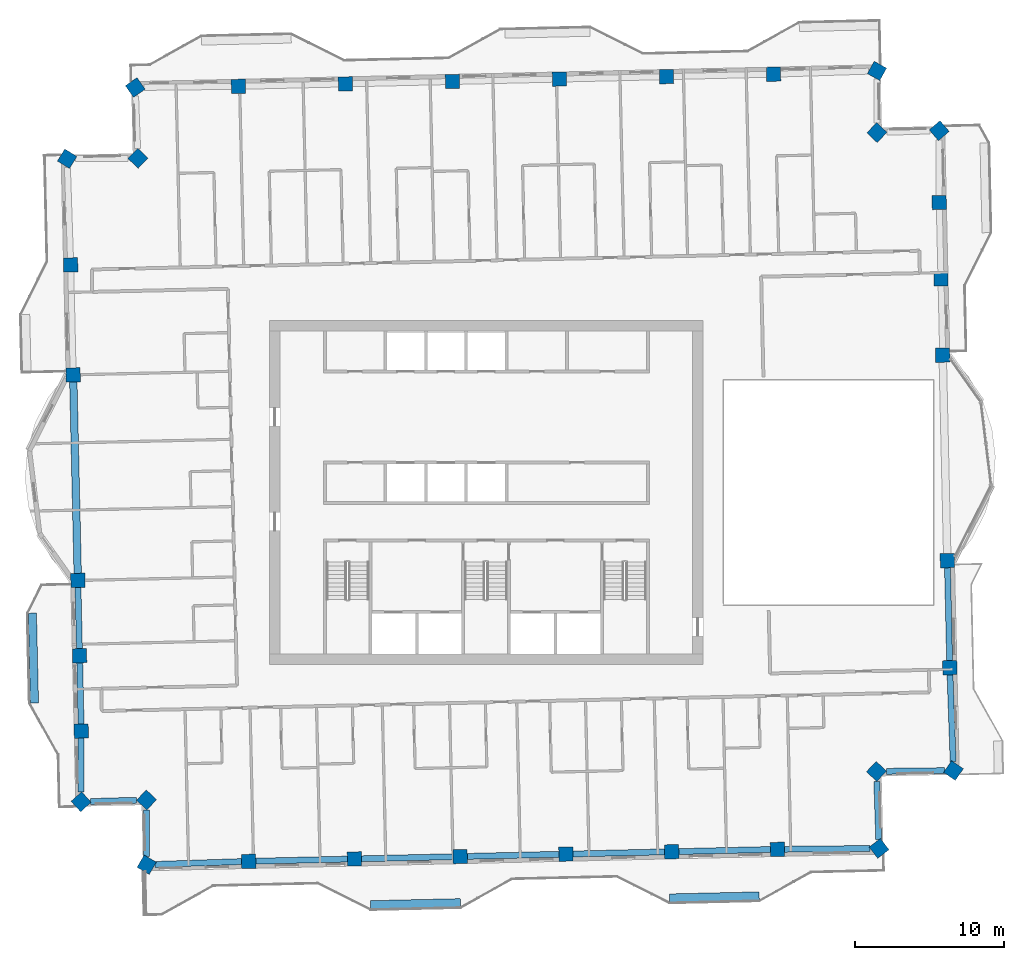
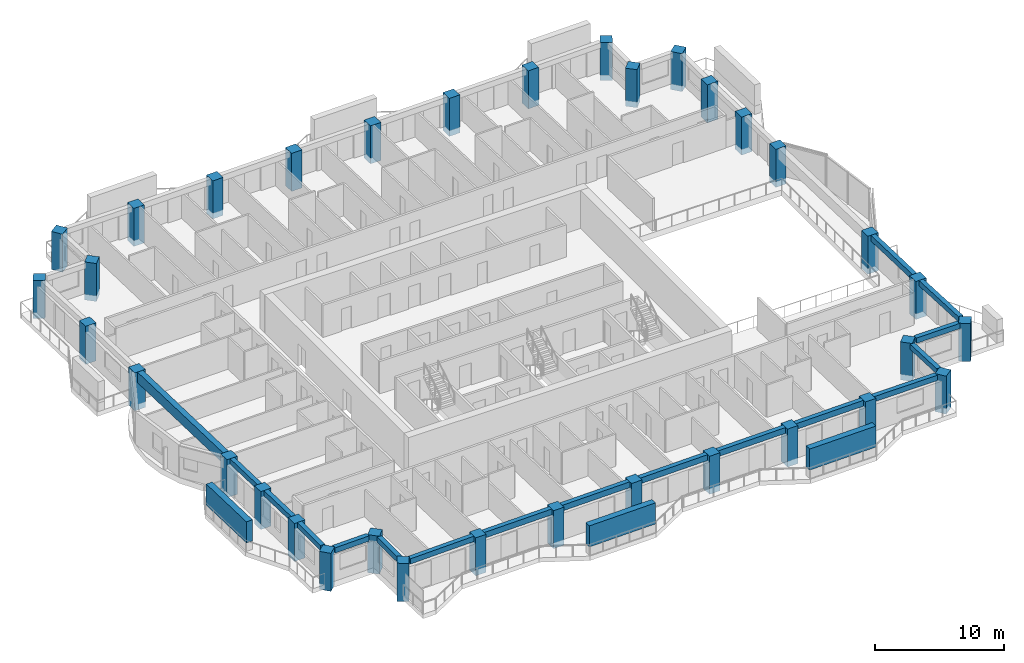
# One storey, part 1 of 20: 34 columns, 17 beams, 3 members.
"""IFC4 building model written with IfcOpenShell, lengths in metres."""

from ifc_helpers import new_model, si_unit, direction, frame, origin, origin_2d, place, context, subcontext, project, spatial, rectangle, extrude, material, material_profile, profile_set, type_object, element, save


model = new_model("IFC4")

# Units and contexts
model_context = context("Model", 3, precision=1e-05, world=origin(), true_north=direction((0.0, 1.0)))
body_context = subcontext(model_context, "Body", "Model", "MODEL_VIEW")
ifc_project = project(units=[si_unit("LENGTHUNIT", "METRE"), si_unit("AREAUNIT", "SQUARE_METRE"), si_unit("VOLUMEUNIT", "CUBIC_METRE"), si_unit("PLANEANGLEUNIT", "RADIAN"), si_unit("MASSUNIT", "GRAM", prefix="KILO")], contexts=[model_context])

# Site, building, storey
site_placement = place(None, origin())
site = spatial("IfcSite", under=ifc_project, at=site_placement, CompositionType="ELEMENT")
building_placement = place(site_placement, origin())
building = spatial("IfcBuilding", under=site, at=building_placement, Name="Mangrove Gate Tower", CompositionType="ELEMENT")
storey_placement = place(building_placement, frame((0.0, 0.0, 294.300048828125)))
storey = spatial("IfcBuildingStorey", under=building, at=storey_placement, Name="L75", CompositionType="ELEMENT", Elevation=294.300048828125)

# Columns
ifc_material_1 = material(Name="Concrete C50/60", Category="concrete")
ifc_material_profile_1 = material_profile(ifc_material_1, rectangle(XDim=0.949951171875, YDim=0.949951171875, at=origin_2d()))
ifc_profile_set_1 = profile_set([ifc_material_profile_1], Name="Concrete C50/60")
column_type = type_object("IfcColumnType", Name="Column RC 950x950 C50/60", PredefinedType="COLUMN", material=ifc_profile_set_1)
for number, where, z_axis, x_axis, name in (
    (1, (-27.3291015625, -5.88330078125, -0.550048828125), (0.0, 0.0, 1.0), (0.022668227132, -0.999743042726, 0.0), "Column L75 W05"),
    (2, (-27.215087890625, -10.92431640625, -0.550048828125), (0.0, 0.0, 1.0), (0.022611029903, -0.999744337982, 0.0), "Column L75 W06"),
    (3, (-27.10107421875, -15.964111328125, -0.550048828125), (0.0, 0.0, 1.0), (0.022712390043, -0.999742040398, 0.0), "Column L75 W07"),
    (4, (-27.1103515625, -20.694580078125, -0.550048828125), (0.0, 0.0, 1.0), (0.674559871236, -0.738220143398, 0.0), "Column L75 W08"),
    (5, (-22.73388671875, -20.571533203125, -0.550048828125), (0.0, 0.0, 1.0), (0.722917548782, -0.690934307777, 0.0), "Column L75 W09"),
    (6, (-22.721435546875, -24.905029296875, -0.550048828125), (0.0, 0.0, 1.0), (0.860936080736, -0.508713145974, 0.0), "Column L75 S01"),
    (7, (-15.898681640625, -24.67919921875, -0.550048828125), (0.0, 0.0, 1.0), (0.999742783124, 0.022679673549, 0.0), "Column L75 S02"),
    (8, (-8.82373046875, -24.51806640625, -0.550048828125), (0.0, 0.0, 1.0), (0.999742783124, 0.022679673549, 0.0), "Column L75 S03"),
    (9, (-1.748779296875, -24.358154296875, -0.550048828125), (0.0, 0.0, 1.0), (0.999742746705, 0.022681278839, 0.0), "Column L75 S04"),
    (10, (5.3251953125, -24.197021484375, -0.550048828125), (0.0, 0.0, 1.0), (0.999741142154, 0.022751894086, 0.0), "Column L75 S05"),
    (11, (12.400146484375, -24.0361328125, -0.550048828125), (0.0, 0.0, 1.0), (0.999742783124, 0.022679673549, 0.0), "Column L75 S06"),
    (12, (19.475341796875, -23.876220703125, -0.550048828125), (0.0, 0.0, 1.0), (0.999742783124, 0.022679673549, 0.0), "Column L75 S07"),
    (13, (26.271240234375, -23.813720703125, -0.550048828125), (0.0, 0.0, 1.0), (0.792213187663, 0.610244430775, 0.0), "Column L75 S08"),
    (14, (26.099609375, -18.663818359375, -0.550048828125), (0.0, 0.0, 1.0), (0.690876732885, 0.722972572065, 0.0), "Column L75 E01"),
    (15, (31.25048828125, -18.603759765625, -0.550048828125), (0.0, 0.0, 1.0), (0.568957327632, 0.8223670466, 0.0), "Column L75 E02"),
    (16, (31.004150390625, -11.723876953125, -0.550048828125), (0.0, 0.0, 1.0), (-0.02268810132, 0.9997425919, 0.0), "Column L75 E03"),
    (17, (30.841064453125, -4.563720703125, -0.550048828125), (0.0, 0.0, 1.0), (-0.022713803395, 0.999742008288, 0.0), "Column L75 E04"),
    (18, (30.529052734375, 9.183349609375, -0.550048828125), (0.0, 0.0, 1.0), (-0.022641914322, 0.999743638997, 0.0), "Column L75 E05"),
    (19, (30.4140625, 14.290283203125, -0.550048828125), (0.0, 0.0, 1.0), (-0.022610227257, 0.999744356135, 0.0), "Column L75 E06"),
    (20, (30.298095703125, 19.397216796875, -0.550048828125), (0.0, 0.0, 1.0), (-0.022708062743, 0.999742138697, 0.0), "Column L75 E07"),
    (21, (30.297119140625, 24.205078125, -0.550048828125), (0.0, 0.0, 1.0), (-0.652445951575, 0.757835259323, 0.0), "Column L75 E08"),
    (22, (26.1298828125, 24.07666015625, -0.550048828125), (0.0, 0.0, 1.0), (-0.722919671176, 0.69093208713, 0.0), "Column L75 E09"),
    (23, (26.132080078125, 28.203857421875, -0.550048828125), (0.0, 0.0, 1.0), (-0.873907193452, 0.486092807222, 0.0), "Column L75 N01"),
    (24, (19.212890625, 27.981201171875, -0.550048828125), (0.0, 0.0, 1.0), (-0.9997425919, -0.02268810132, 0.0), "Column L75 N02"),
    (25, (12.052734375, 27.819091796875, -0.550048828125), (0.0, 0.0, 1.0), (-0.9997425919, -0.02268810132, 0.0), "Column L75 N03"),
    (26, (4.891845703125, 27.656005859375, -0.550048828125), (0.0, 0.0, 1.0), (-0.9997425919, -0.02268810132, 0.0), "Column L75 N04"),
    (27, (-2.268310546875, 27.494140625, -0.550048828125), (0.0, 0.0, 1.0), (-0.9997425919, -0.02268810132, 0.0), "Column L75 N05"),
    (28, (-9.42919921875, 27.3310546875, -0.550048828125), (0.0, 0.0, 1.0), (-0.9997425919, -0.02268810132, 0.0), "Column L75 N06"),
    (29, (-16.589111328125, 27.169189453125, -0.550048828125), (0.0, 0.0, 1.0), (-0.9997425919, -0.02268810132, 0.0), "Column L75 N07"),
    (30, (-23.48779296875, 27.092529296875, -0.550048828125), (0.0, 0.0, 1.0), (-0.81788929658, -0.575375615176, 0.0), "Column L75 N08"),
    (31, (-23.30859375, 22.354736328125, -0.550048828125), (0.0, 0.0, 1.0), (-0.690864619266, -0.722984147714, 0.0), "Column L75 W01"),
    (32, (-28.04638671875, 22.32373046875, -0.550048828125), (0.0, 0.0, 1.0), (-0.526906799816, -0.849923069641, 0.0), "Column L75 W02"),
    (33, (-27.80810546875, 15.223876953125, -0.550048828125), (0.0, 0.0, 1.0), (0.022682831782, -0.999742711472, 0.0), "Column L75 W03"),
    (34, (-27.64111328125, 7.86376953125, -0.550048828125), (0.0, 0.0, 1.0), (0.022688048974, -0.999742593088, 0.0), "Column L75 W04"),
):
    element("IfcColumn", number, at=place(storey_placement, frame(where, z_axis=z_axis, x_axis=x_axis)), inside=storey, type_object=column_type, Name=name, PredefinedType="COLUMN", context=body_context, shape_type="SweptSolid", body=[
        extrude(rectangle(XDim=0.949951171875, YDim=0.949951171875, at=origin_2d()), origin(), (0.0, 0.0, 1.0), 3.60009765625),
    ])

# Members
ifc_material_2 = material(Name="Planting on aluminium trellis", Category="aluminium")
ifc_material_profile_2 = material_profile(ifc_material_2, rectangle(XDim=0.550048828125, YDim=2.0, at=origin_2d()))
ifc_profile_set_2 = profile_set([ifc_material_profile_2], Name="Planting on aluminium trellis")
member_type = type_object("IfcMemberType", Name="Balcony greenery screen 550x2000", PredefinedType="USERDEFINED", material=ifc_profile_set_2)
for number, where, z_axis, x_axis, name in (
    (35, (-30.23388671875, -14.076904296875, 1.800048828125), (-0.022865581321, 0.999738548417, 0.0), (-0.999738548417, -0.022865581321, 0.0), "GREEN SCREEN L75 W1.1"),
    (36, (-7.739013671875, -27.583984375, 1.800048828125), (0.999743178102, 0.022662255828, 0.0), (-0.022662255828, 0.999743178102, 0.0), "GREEN SCREEN L75 S0.1"),
):
    element("IfcMember", number, at=place(storey_placement, frame(where, z_axis=z_axis, x_axis=x_axis)), inside=storey, type_object=member_type, Name=name, ObjectType="PLANTING", PredefinedType="USERDEFINED", context=body_context, shape_type="SweptSolid", body=[
        extrude(rectangle(XDim=0.550048828125, YDim=2.0, at=origin_2d()), origin(), (0.0, 0.0, 1.0), 6.00048828125),
    ])
member_placement = place(storey_placement, frame((12.256103515625, -27.131103515625, 1.800048828125), z_axis=(0.999743073592, 0.022666865795, 0.0), x_axis=(-0.022666865795, 0.999743073592, 0.0)))
element("IfcMember", 37, at=member_placement, inside=storey, type_object=member_type, Name="GREEN SCREEN L75 S1.1", ObjectType="PLANTING", PredefinedType="USERDEFINED", context=body_context, shape_type="SweptSolid", body=[
    extrude(rectangle(XDim=0.550048828125, YDim=2.0, at=origin_2d()), origin(), (0.0, 0.0, 1.0), 5.999267578125),
])

# Beams
ifc_material_3 = material(Name="Concrete C50/60", Category="concrete")
ifc_material_profile_3 = material_profile(ifc_material_3, rectangle(XDim=0.39990234375, YDim=0.5, at=origin_2d()))
ifc_profile_set_3 = profile_set([ifc_material_profile_3], Name="Concrete C50/60")
beam_type_1 = type_object("IfcBeamType", Name="Edge beam RC 400x500 C50/60", PredefinedType="BEAM", material=ifc_profile_set_3)
beam_1_placement = place(storey_placement, frame((-27.318359375, -6.358154296875, 2.800048828125), z_axis=(0.022610282283, -0.99974435489, 0.0), x_axis=(0.99974435489, 0.022610282283, 0.0)))
element("IfcBeam", 38, at=beam_1_placement, inside=storey, type_object=beam_type_1, Name="Edge beam L75 00", PredefinedType="BEAM", context=body_context, shape_type="SweptSolid", body=[
    extrude(rectangle(XDim=0.39990234375, YDim=0.5, at=origin_2d()), origin(), (0.0, 0.0, 1.0), 4.09228515625),
])
beam_2_placement = place(storey_placement, frame((-27.204345703125, -11.399169921875, 2.800048828125), z_axis=(0.022617026961, -0.999744202329, 0.0), x_axis=(0.999744202329, 0.022617026961, 0.0)))
element("IfcBeam", 39, at=beam_2_placement, inside=storey, type_object=beam_type_1, Name="Edge beam L75 01", PredefinedType="BEAM", context=body_context, shape_type="SweptSolid", body=[
    extrude(rectangle(XDim=0.39990234375, YDim=0.5, at=origin_2d()), origin(), (0.0, 0.0, 1.0), 4.091064453125),
])
beam_3_placement = place(storey_placement, frame((-27.10205078125, -16.439453125, 2.800048828125), z_axis=(-0.001960913128, -0.999998077408, 0.0), x_axis=(0.999998077408, -0.001960913128, 0.0)))
element("IfcBeam", 40, at=beam_3_placement, inside=storey, type_object=beam_type_1, Name="Edge beam L75 02", PredefinedType="BEAM", context=body_context, shape_type="SweptSolid", body=[
    extrude(rectangle(XDim=0.39990234375, YDim=0.5, at=origin_2d()), origin(), (0.0, 0.0, 1.0), 3.610595703125),
])
beam_4_placement = place(storey_placement, frame((-26.48291015625, -20.677001953125, 2.800048828125), z_axis=(0.999604650157, 0.028116603344, 0.0), x_axis=(-0.028116603344, 0.999604650157, 0.0)))
element("IfcBeam", 41, at=beam_4_placement, inside=storey, type_object=beam_type_1, Name="Edge beam L75 03", PredefinedType="BEAM", context=body_context, shape_type="SweptSolid", body=[
    extrude(rectangle(XDim=0.39990234375, YDim=0.5, at=origin_2d()), origin(), (0.0, 0.0, 1.0), 3.08251953125),
])
beam_5_placement = place(storey_placement, frame((-22.73193359375, -21.23046875, 2.800048828125), z_axis=(0.002893551662, -0.999995813671, 0.0), x_axis=(0.999995813671, 0.002893551662, 0.0)))
element("IfcBeam", 42, at=beam_5_placement, inside=storey, type_object=beam_type_1, Name="Edge beam L75 04", PredefinedType="BEAM", context=body_context, shape_type="SweptSolid", body=[
    extrude(rectangle(XDim=0.39990234375, YDim=0.5, at=origin_2d()), origin(), (0.0, 0.0, 1.0), 3.121826171875),
])
beam_6_placement = place(storey_placement, frame((-22.15869140625, -24.886474609375, 2.800048828125), z_axis=(0.999451720574, 0.033109790709, 0.0), x_axis=(-0.033109790709, 0.999451720574, 0.0)))
element("IfcBeam", 43, at=beam_6_placement, inside=storey, type_object=beam_type_1, Name="Edge beam L75 05", PredefinedType="BEAM", context=body_context, shape_type="SweptSolid", body=[
    extrude(rectangle(XDim=0.39990234375, YDim=0.5, at=origin_2d()), origin(), (0.0, 0.0, 1.0), 5.788330078125),
])
beam_7_placement = place(storey_placement, frame((19.9501953125, -23.871826171875, 2.800048828125), z_axis=(0.999957587868, 0.009209911265, 0.0), x_axis=(-0.009209911265, 0.999957587868, 0.0)))
element("IfcBeam", 44, at=beam_7_placement, inside=storey, type_object=beam_type_1, Name="Edge beam L75 11", PredefinedType="BEAM", context=body_context, shape_type="SweptSolid", body=[
    extrude(rectangle(XDim=0.39990234375, YDim=0.5, at=origin_2d()), origin(), (0.0, 0.0, 1.0), 5.725830078125),
])
beam_8_placement = place(storey_placement, frame((26.251708984375, -23.22900390625, 2.800048828125), z_axis=(-0.033277341028, 0.999446155915, 0.0), x_axis=(-0.999446155915, -0.033277341028, 0.0)))
element("IfcBeam", 45, at=beam_8_placement, inside=storey, type_object=beam_type_1, Name="Edge beam L75 12", PredefinedType="BEAM", context=body_context, shape_type="SweptSolid", body=[
    extrude(rectangle(XDim=0.39990234375, YDim=0.5, at=origin_2d()), origin(), (0.0, 0.0, 1.0), 3.903076171875),
])
beam_9_placement = place(storey_placement, frame((26.763916015625, -18.656005859375, 2.800048828125), z_axis=(0.99993236047, 0.011630755991, 0.0), x_axis=(-0.011630755991, 0.99993236047, 0.0)))
element("IfcBeam", 46, at=beam_9_placement, inside=storey, type_object=beam_type_1, Name="Edge beam L75 13", PredefinedType="BEAM", context=body_context, shape_type="SweptSolid", body=[
    extrude(rectangle(XDim=0.39990234375, YDim=0.5, at=origin_2d()), origin(), (0.0, 0.0, 1.0), 3.904296875),
])
beam_10_placement = place(storey_placement, frame((31.229248046875, -18.011474609375, 2.800048828125), z_axis=(-0.035802315604, 0.999358891589, 0.0), x_axis=(-0.999358891589, -0.035802315604, 0.0)))
element("IfcBeam", 47, at=beam_10_placement, inside=storey, type_object=beam_type_1, Name="Edge beam L75 14", PredefinedType="BEAM", context=body_context, shape_type="SweptSolid", body=[
    extrude(rectangle(XDim=0.39990234375, YDim=0.5, at=origin_2d()), origin(), (0.0, 0.0, 1.0), 5.816650390625),
])
ifc_material_4 = material(Name="Concrete C50/60", Category="concrete")
ifc_material_profile_4 = material_profile(ifc_material_4, rectangle(XDim=0.39990234375, YDim=0.550048828125, at=origin_2d()))
ifc_profile_set_4 = profile_set([ifc_material_profile_4], Name="Concrete C50/60")
beam_type_2 = type_object("IfcBeamType", Name="Edge beam RC 400x550 C50/60", PredefinedType="BEAM", material=ifc_profile_set_4)
for number, where, z_axis, x_axis, name in (
    (48, (-15.423828125, -24.668212890625, 2.77490234375), (0.999741115026, 0.022753086081, 0.0), (-0.022753086081, 0.999741115026, 0.0), "Edge beam L75 06"),
    (49, (-8.348876953125, -24.50732421875, 2.77490234375), (0.999744728048, 0.022593776587, 0.0), (-0.022593776587, 0.999744728048, 0.0), "Edge beam L75 07"),
):
    element("IfcBeam", number, at=place(storey_placement, frame(where, z_axis=z_axis, x_axis=x_axis)), inside=storey, type_object=beam_type_2, Name=name, PredefinedType="BEAM", context=body_context, shape_type="SweptSolid", body=[
        extrude(rectangle(XDim=0.39990234375, YDim=0.550048828125, at=origin_2d()), origin(), (0.0, 0.0, 1.0), 6.126708984375),
    ])
beam_11_placement = place(storey_placement, frame((-1.27392578125, -24.347412109375, 2.77490234375), z_axis=(0.999741032489, 0.02275671236, 0.0), x_axis=(-0.02275671236, 0.999741032489, 0.0)))
element("IfcBeam", 50, at=beam_11_placement, inside=storey, type_object=beam_type_2, Name="Edge beam L75 08", PredefinedType="BEAM", context=body_context, shape_type="SweptSolid", body=[
    extrude(rectangle(XDim=0.39990234375, YDim=0.550048828125, at=origin_2d()), origin(), (0.0, 0.0, 1.0), 6.125732421875),
])
for number, where, z_axis, x_axis, name in (
    (51, (5.800048828125, -24.186279296875, 2.77490234375), (0.999741115026, 0.022753086081, 0.0), (-0.022753086081, 0.999741115026, 0.0), "Edge beam L75 09"),
    (52, (12.875, -24.025390625, 2.77490234375), (0.999744728048, 0.022593776587, 0.0), (-0.022593776587, 0.999744728048, 0.0), "Edge beam L75 10"),
):
    element("IfcBeam", number, at=place(storey_placement, frame(where, z_axis=z_axis, x_axis=x_axis)), inside=storey, type_object=beam_type_2, Name=name, PredefinedType="BEAM", context=body_context, shape_type="SweptSolid", body=[
        extrude(rectangle(XDim=0.39990234375, YDim=0.550048828125, at=origin_2d()), origin(), (0.0, 0.0, 1.0), 6.126708984375),
    ])
beam_12_placement = place(storey_placement, frame((30.993408203125, -11.248779296875, 2.77490234375), z_axis=(-0.022756223778, 0.99974104361, 0.0), x_axis=(-0.99974104361, -0.022756223778, 0.0)))
element("IfcBeam", 53, at=beam_12_placement, inside=storey, type_object=beam_type_2, Name="Edge beam L75 15", PredefinedType="BEAM", context=body_context, shape_type="SweptSolid", body=[
    extrude(rectangle(XDim=0.39990234375, YDim=0.550048828125, at=origin_2d()), origin(), (0.0, 0.0, 1.0), 6.2119140625),
])
ifc_material_5 = material(Name="Concrete C50/60", Category="concrete")
ifc_material_profile_5 = material_profile(ifc_material_5, rectangle(XDim=0.5, YDim=1.0, at=origin_2d()))
ifc_profile_set_5 = profile_set([ifc_material_profile_5], Name="Concrete C50/60")
beam_type_3 = type_object("IfcBeamType", Name="Edge beam RC 500x1000 C50/60", PredefinedType="BEAM", material=ifc_profile_set_5)
beam_13_placement = place(storey_placement, frame((-27.63037109375, 7.388916015625, 2.550048828125), z_axis=(0.0226962773, -0.999742406321, 0.0), x_axis=(0.999742406321, 0.0226962773, 0.0)))
element("IfcBeam", 54, at=beam_13_placement, inside=storey, type_object=beam_type_3, Name="Edge beam L75 33", PredefinedType="BEAM", context=body_context, shape_type="SweptSolid", body=[
    extrude(rectangle(XDim=0.5, YDim=1.0, at=origin_2d()), origin(), (0.0, 0.0, 1.0), 12.80078125),
])

save(model, "model.ifc")
